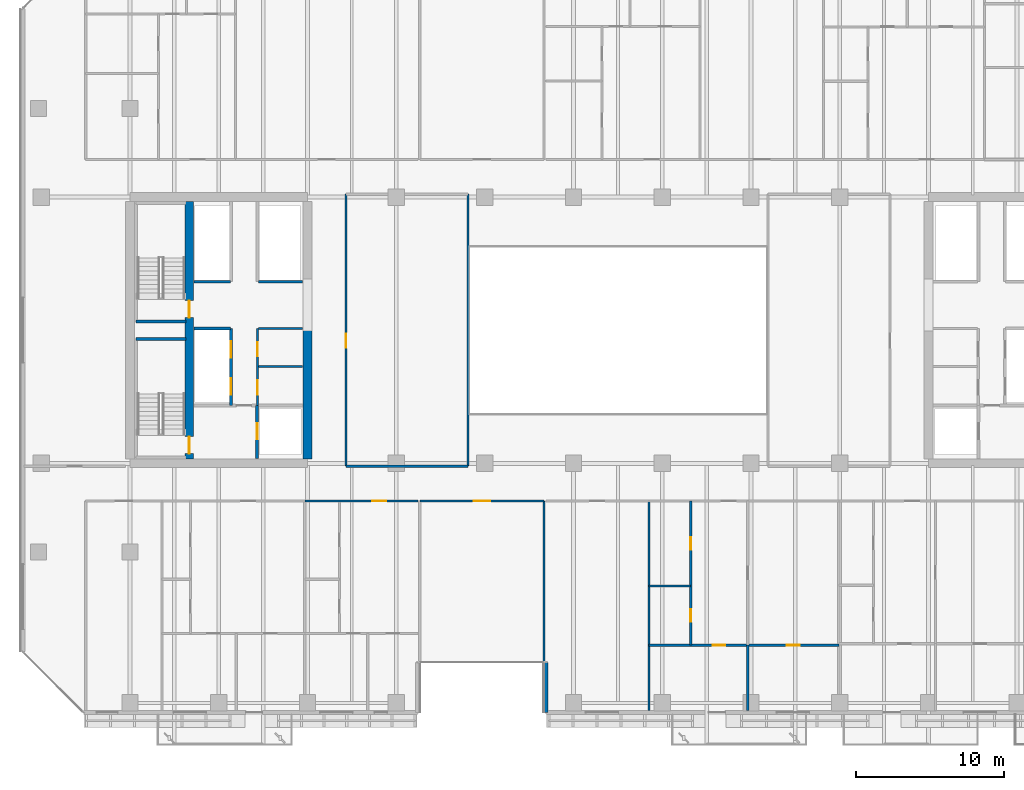
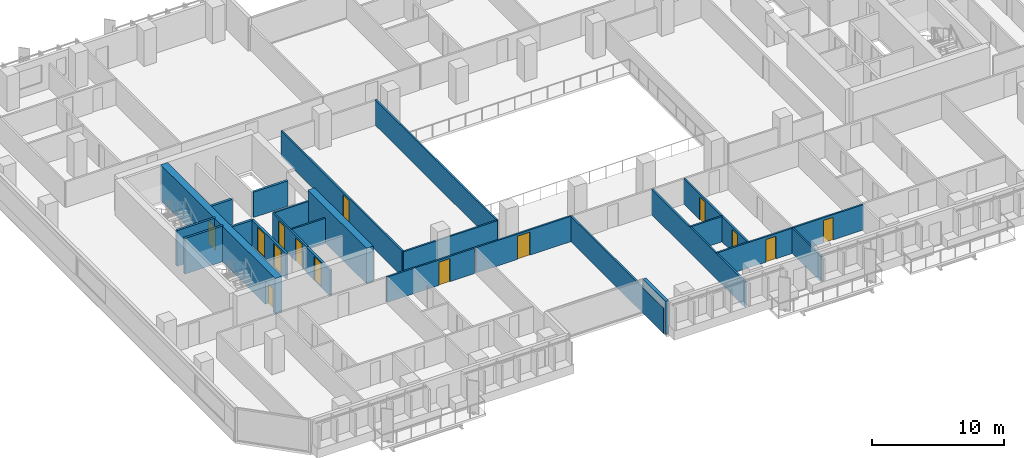
# One storey, part 20 of 34: 24 walls, 14 doors, 14 openings.
"""IFC4 building model written with IfcOpenShell, lengths in metres."""

from ifc_helpers import new_model, si_unit, direction, frame, frame_2d, origin, place, context, subcontext, project, spatial, rectangle, extrude, material, layer, layer_set, type_object, element, fill, save


model = new_model("IFC4")

# Units and contexts
model_context = context("Model", 3, precision=1e-05, world=origin(), true_north=direction((0.0, 1.0)))
body_context = subcontext(model_context, "Body", "Model", "MODEL_VIEW")
ifc_project = project(units=[si_unit("LENGTHUNIT", "METRE"), si_unit("AREAUNIT", "SQUARE_METRE"), si_unit("VOLUMEUNIT", "CUBIC_METRE"), si_unit("PLANEANGLEUNIT", "RADIAN"), si_unit("MASSUNIT", "GRAM", prefix="KILO")], contexts=[model_context])

# Site, building, storey
site_placement = place(None, origin())
site = spatial("IfcSite", under=ifc_project, at=site_placement, CompositionType="ELEMENT")
building_placement = place(site_placement, origin())
building = spatial("IfcBuilding", under=site, at=building_placement, Name="Tanjung Sevakor Pilgrim Tower", CompositionType="ELEMENT")
storey_placement = place(building_placement, frame((0.0, 0.0, 55.43994140625)))
storey = spatial("IfcBuildingStorey", under=building, at=storey_placement, Name="L15", CompositionType="ELEMENT", Elevation=55.43994140625)

# Wall
ifc_material_1 = material(Name="Concrete C60/75", Category="concrete")
ifc_layer_1 = layer(ifc_material_1, 0.60009765625)
ifc_layer_set_1 = layer_set([ifc_layer_1], Name="WALL-CW-600")
wall_type_1 = type_object("IfcWallType", Name="WALL-CW-600", PredefinedType="SHEAR", material=ifc_layer_set_1)
wall_1_placement = place(storey_placement, frame((36.0, 24.89990234375, 0.0), z_axis=(0.0, 0.0, 1.0), x_axis=(0.0, 1.0, 0.0)))
element("IfcWall", 1, at=wall_1_placement, inside=storey, type_object=wall_type_1, Name="L15 W Core Inner Shear Wall South", PredefinedType="SHEAR", context=body_context, shape_type="SweptSolid", body=[
    extrude(rectangle(XDim=8.900146484375, YDim=0.60009765625, at=frame_2d((4.4501953125, 0.0))), origin(), (0.0, 0.0, 1.0), 3.300048828125),
])

# Wall, openings, doors
wall_2_placement = place(storey_placement, frame((28.0, 24.89990234375, 0.0), z_axis=(0.0, 0.0, 1.0), x_axis=(0.0, 1.0, 0.0)))
wall_2 = element("IfcWall", 2, at=wall_2_placement, inside=storey, type_object=wall_type_1, Name="L15 W Core Stair Spine Wall", PredefinedType="SHEAR", context=body_context, shape_type="SweptSolid", body=[
    extrude(rectangle(XDim=17.400146484375, YDim=0.60009765625, at=frame_2d((8.7001953125, 0.0))), origin(), (0.0, 0.0, 1.0), 3.300048828125),
])
opening_1_placement = place(wall_2_placement, frame((0.35009765625, 0.0, 0.0)))
opening_1 = element("IfcOpeningElement", 3, at=opening_1_placement, cuts=wall_2, Name="Opening ID-ST1", PredefinedType="OPENING", context=body_context, shape_type="SweptSolid", body=[
    extrude(rectangle(XDim=1.14990234375, YDim=2.14990234375, at=frame_2d((0.574951171875, 1.074951171875))), frame((0.0, 0.31005859375, 0.0), z_axis=(0.0, -1.0, 0.0), x_axis=(1.0, 0.0, 0.0)), (0.0, 0.0, 1.0), 0.6201171875),
])
opening_2_placement = place(wall_2_placement, frame((9.550048828125, 0.0, 0.0)))
opening_2 = element("IfcOpeningElement", 4, at=opening_2_placement, cuts=wall_2, Name="Opening ID-ST1", PredefinedType="OPENING", context=body_context, shape_type="SweptSolid", body=[
    extrude(rectangle(XDim=1.14990234375, YDim=2.14990234375, at=frame_2d((0.574951171875, 1.074951171875))), frame((0.0, 0.31005859375, 0.0), z_axis=(0.0, -1.0, 0.0), x_axis=(1.0, 0.0, 0.0)), (0.0, 0.0, 1.0), 0.6201171875),
])
ifc_material_2 = material(Name="Fire-Rated Steel S355J2", Category="steel")
door_type_1 = type_object("IfcDoorType", Name="DT-FIRE-1150", OperationType="NOTDEFINED", PredefinedType="DOOR", material=ifc_material_2)
door_1_placement = place(opening_1_placement, origin())
door_1 = element("IfcDoor", 5, at=door_1_placement, inside=storey, type_object=door_type_1, Name="L15 TS-W1 Stair Fire Door", OperationType="SINGLE_SWING_RIGHT", OverallHeight=2.14990234375, OverallWidth=1.14990234375, PredefinedType="DOOR", context=body_context, shape_type="SweptSolid", body=[
    extrude(rectangle(XDim=1.14990234375, YDim=2.14990234375, at=frame_2d((0.574951171875, 1.074951171875))), frame((0.0, 0.02490234375, 0.0), z_axis=(0.0, -1.0, 0.0), x_axis=(1.0, 0.0, 0.0)), (0.0, 0.0, 1.0), 0.050048828125),
])
fill(opening_1, door_1)
door_2_placement = place(opening_2_placement, origin())
door_2 = element("IfcDoor", 6, at=door_2_placement, inside=storey, type_object=door_type_1, Name="L15 TS-W2 Stair Fire Door", OperationType="SINGLE_SWING_LEFT", OverallHeight=2.14990234375, OverallWidth=1.14990234375, PredefinedType="DOOR", context=body_context, shape_type="SweptSolid", body=[
    extrude(rectangle(XDim=1.14990234375, YDim=2.14990234375, at=frame_2d((0.574951171875, 1.074951171875))), frame((0.0, 0.02490234375, 0.0), z_axis=(0.0, -1.0, 0.0), x_axis=(1.0, 0.0, 0.0)), (0.0, 0.0, 1.0), 0.050048828125),
])
fill(opening_2, door_2)

# Walls
ifc_material_3 = material(Name="Concrete C40/50", Category="concrete")
ifc_layer_2 = layer(ifc_material_3, 0.14990234375)
ifc_layer_set_2 = layer_set([ifc_layer_2], Name="WT-COMP-150")
wall_type_2 = type_object("IfcWallType", Name="WT-COMP-150", PredefinedType="SOLIDWALL", material=ifc_layer_set_2)
for number, where, z_axis, x_axis, name in (
    (7, (32.679931640625, 31.14990234375, 0.0), (0.0, 0.0, 1.0), (1.0, 0.0, 0.0), "L15 Partition IW-L15-005"),
    (8, (32.679931640625, 33.719970703125, 0.0), (0.0, 0.0, 1.0), (1.0, 0.0, 0.0), "L15 Partition IW-L15-006"),
):
    element("IfcWall", number, at=place(storey_placement, frame(where, z_axis=z_axis, x_axis=x_axis)), inside=storey, type_object=wall_type_2, Name=name, PredefinedType="SOLIDWALL", context=body_context, shape_type="SweptSolid", body=[
        extrude(rectangle(XDim=3.0, YDim=0.14990234375, at=frame_2d((1.5, 0.0))), origin(), (0.0, 0.0, 1.0), 2.35009765625),
    ])

# Wall, openings, doors
wall_3_placement = place(storey_placement, frame((32.6201171875, 28.5, 0.0), z_axis=(0.0, 0.0, 1.0), x_axis=(0.0, 1.0, 0.0)))
wall_3 = element("IfcWall", 9, at=wall_3_placement, inside=storey, type_object=wall_type_2, Name="L15 Partition IW-L15-007", PredefinedType="SOLIDWALL", context=body_context, shape_type="SweptSolid", body=[
    extrude(rectangle(XDim=5.219970703125, YDim=0.14990234375, at=frame_2d((2.60986328125, 0.0))), origin(), (0.0, 0.0, 1.0), 2.35009765625),
])
opening_3_placement = place(wall_3_placement, frame((0.75, 0.0, 0.0)))
opening_3 = element("IfcOpeningElement", 10, at=opening_3_placement, cuts=wall_3, Name="Opening ID-FD2", PredefinedType="OPENING", context=body_context, shape_type="SweptSolid", body=[
    extrude(rectangle(XDim=0.949951171875, YDim=2.14990234375, at=frame_2d((0.47509765625, 1.074951171875))), frame((0.0, 0.0849609375, 0.0), z_axis=(0.0, -1.0, 0.0), x_axis=(1.0, 0.0, 0.0)), (0.0, 0.0, 1.0), 0.169921875),
])
opening_4_placement = place(wall_3_placement, frame((3.35009765625, 0.0, 0.0)))
opening_4 = element("IfcOpeningElement", 11, at=opening_4_placement, cuts=wall_3, Name="Opening ID-FD2", PredefinedType="OPENING", context=body_context, shape_type="SweptSolid", body=[
    extrude(rectangle(XDim=0.949951171875, YDim=2.14990234375, at=frame_2d((0.47509765625, 1.074951171875))), frame((0.0, 0.0849609375, 0.0), z_axis=(0.0, -1.0, 0.0), x_axis=(1.0, 0.0, 0.0)), (0.0, 0.0, 1.0), 0.169921875),
])
ifc_material_4 = material(Name="Fire-Rated Timber", Category="wood")
door_type_2 = type_object("IfcDoorType", Name="DT-FIRE-950", OperationType="NOTDEFINED", PredefinedType="DOOR", material=ifc_material_4)
door_3_placement = place(opening_3_placement, origin())
door_3 = element("IfcDoor", 12, at=door_3_placement, inside=storey, type_object=door_type_2, Name="L15 Accessible WC Door", OperationType="SINGLE_SWING_LEFT", OverallHeight=2.14990234375, OverallWidth=0.949951171875, PredefinedType="DOOR", context=body_context, shape_type="SweptSolid", body=[
    extrude(rectangle(XDim=0.949951171875, YDim=2.14990234375, at=frame_2d((0.47509765625, 1.074951171875))), frame((0.0, 0.02490234375, 0.0), z_axis=(0.0, -1.0, 0.0), x_axis=(1.0, 0.0, 0.0)), (0.0, 0.0, 1.0), 0.050048828125),
])
fill(opening_3, door_3)
door_4_placement = place(opening_4_placement, origin())
door_4 = element("IfcDoor", 13, at=door_4_placement, inside=storey, type_object=door_type_2, Name="L15 Core Service Door", OperationType="SINGLE_SWING_RIGHT", OverallHeight=2.14990234375, OverallWidth=0.949951171875, PredefinedType="DOOR", context=body_context, shape_type="SweptSolid", body=[
    extrude(rectangle(XDim=0.949951171875, YDim=2.14990234375, at=frame_2d((0.47509765625, 1.074951171875))), frame((0.0, 0.02490234375, 0.0), z_axis=(0.0, -1.0, 0.0), x_axis=(1.0, 0.0, 0.0)), (0.0, 0.0, 1.0), 0.050048828125),
])
fill(opening_4, door_4)

# Wall
wall_4_placement = place(storey_placement, frame((38.60009765625, 24.39990234375, 0.0), z_axis=(0.0, 0.0, 1.0), x_axis=(1.0, 0.0, 0.0)))
element("IfcWall", 14, at=wall_4_placement, inside=storey, type_object=wall_type_2, Name="L15 Partition IW-L15-023", PredefinedType="SOLIDWALL", context=body_context, shape_type="SweptSolid", body=[
    extrude(rectangle(XDim=8.25, YDim=0.14990234375, at=frame_2d((4.125, 0.0))), origin(), (0.0, 0.0, 1.0), 2.295166015625),
])

# Wall, opening, door
wall_5_placement = place(storey_placement, frame((38.60009765625, 24.39990234375, 0.0), z_axis=(0.0, 0.0, 1.0), x_axis=(0.0, 1.0, 0.0)))
wall_5 = element("IfcWall", 15, at=wall_5_placement, inside=storey, type_object=wall_type_2, Name="L15 Partition IW-L15-025", PredefinedType="SOLIDWALL", context=body_context, shape_type="SweptSolid", body=[
    extrude(rectangle(XDim=18.400146484375, YDim=0.14990234375, at=frame_2d((9.2001953125, 0.0))), origin(), (0.0, 0.0, 1.0), 2.35009765625),
])
opening_5_placement = place(wall_5_placement, frame((8.02490234375, 0.0, 0.0)))
opening_5 = element("IfcOpeningElement", 16, at=opening_5_placement, cuts=wall_5, Name="Opening ID-RM1", PredefinedType="OPENING", context=body_context, shape_type="SweptSolid", body=[
    extrude(rectangle(XDim=0.949951171875, YDim=2.14990234375, at=frame_2d((0.47509765625, 1.074951171875))), frame((0.0, 0.0849609375, 0.0), z_axis=(0.0, -1.0, 0.0), x_axis=(1.0, 0.0, 0.0)), (0.0, 0.0, 1.0), 0.169921875),
])
ifc_material_5 = material(Name="Hardwood Timber", Category="wood")
door_type_3 = type_object("IfcDoorType", Name="DT-INT-950", OperationType="NOTDEFINED", PredefinedType="DOOR", material=ifc_material_5)
door_5_placement = place(opening_5_placement, origin())
door_5 = element("IfcDoor", 17, at=door_5_placement, inside=storey, type_object=door_type_3, Name="L15 Central West Room Door", OperationType="SINGLE_SWING_LEFT", OverallHeight=2.14990234375, OverallWidth=0.949951171875, PredefinedType="DOOR", context=body_context, shape_type="SweptSolid", body=[
    extrude(rectangle(XDim=0.949951171875, YDim=2.14990234375, at=frame_2d((0.47509765625, 1.074951171875))), frame((0.0, 0.02490234375, 0.0), z_axis=(0.0, -1.0, 0.0), x_axis=(1.0, 0.0, 0.0)), (0.0, 0.0, 1.0), 0.050048828125),
])
fill(opening_5, door_5)

# Wall
wall_6_placement = place(storey_placement, frame((46.85009765625, 24.39990234375, 0.0), z_axis=(0.0, 0.0, 1.0), x_axis=(0.0, 1.0, 0.0)))
element("IfcWall", 18, at=wall_6_placement, inside=storey, type_object=wall_type_2, Name="L15 Partition IW-L15-026", PredefinedType="SOLIDWALL", context=body_context, shape_type="SweptSolid", body=[
    extrude(rectangle(XDim=18.400146484375, YDim=0.14990234375, at=frame_2d((9.2001953125, 0.0))), origin(), (0.0, 0.0, 1.0), 2.35009765625),
])

# Wall, opening, door
wall_7_placement = place(storey_placement, frame((43.60009765625, 22.050048828125, 0.0), z_axis=(0.0, 0.0, 1.0), x_axis=(1.0, 0.0, 0.0)))
wall_7 = element("IfcWall", 19, at=wall_7_placement, inside=storey, type_object=wall_type_2, Name="L15 Partition IW-L15-038", PredefinedType="SOLIDWALL", context=body_context, shape_type="SweptSolid", body=[
    extrude(rectangle(XDim=8.39990234375, YDim=0.14990234375, at=frame_2d((4.199951171875, 0.0))), origin(), (0.0, 0.0, 1.0), 2.35009765625),
])
opening_6_placement = place(wall_7_placement, frame((3.64990234375, 0.0, 0.0)))
opening_6 = element("IfcOpeningElement", 20, at=opening_6_placement, cuts=wall_7, Name="Opening ID-RM2", PredefinedType="OPENING", context=body_context, shape_type="SweptSolid", body=[
    extrude(rectangle(XDim=1.10009765625, YDim=2.14990234375, at=frame_2d((0.550048828125, 1.074951171875))), frame((0.0, 0.0849609375, 0.0), z_axis=(0.0, -1.0, 0.0), x_axis=(1.0, 0.0, 0.0)), (0.0, 0.0, 1.0), 0.169921875),
])
ifc_material_6 = material(Name="Hardwood Timber", Category="wood")
door_type_4 = type_object("IfcDoorType", Name="DT-INT-1100", OperationType="NOTDEFINED", PredefinedType="DOOR", material=ifc_material_6)
door_6_placement = place(opening_6_placement, origin())
door_6 = element("IfcDoor", 21, at=door_6_placement, inside=storey, type_object=door_type_4, Name="L15 South Cleft Observatory Door", OperationType="SINGLE_SWING_RIGHT", OverallHeight=2.14990234375, OverallWidth=1.10009765625, PredefinedType="DOOR", context=body_context, shape_type="SweptSolid", body=[
    extrude(rectangle(XDim=1.10009765625, YDim=2.14990234375, at=frame_2d((0.550048828125, 1.074951171875))), frame((0.0, 0.02490234375, 0.0), z_axis=(0.0, -1.0, 0.0), x_axis=(1.0, 0.0, 0.0)), (0.0, 0.0, 1.0), 0.050048828125),
])
fill(opening_6, door_6)

# Wall
wall_8_placement = place(storey_placement, frame((52.0, 7.8798828125, 0.0), z_axis=(0.0, 0.0, 1.0), x_axis=(0.0, 1.0, 0.0)))
element("IfcWall", 22, at=wall_8_placement, inside=storey, type_object=wall_type_2, Name="L15 Partition IW-L15-040", PredefinedType="SOLIDWALL", context=body_context, shape_type="SweptSolid", body=[
    extrude(rectangle(XDim=14.170166015625, YDim=0.14990234375, at=frame_2d((7.0849609375, 0.0))), origin(), (0.0, 0.0, 1.0), 2.35009765625),
])

# Wall, opening, door
wall_9_placement = place(storey_placement, frame((35.8203125, 22.050048828125, 0.0), z_axis=(0.0, 0.0, 1.0), x_axis=(1.0, 0.0, 0.0)))
wall_9 = element("IfcWall", 23, at=wall_9_placement, inside=storey, type_object=wall_type_2, Name="L15 Partition IW-L15-057", PredefinedType="SOLIDWALL", context=body_context, shape_type="SweptSolid", body=[
    extrude(rectangle(XDim=7.65966796875, YDim=0.14990234375, at=frame_2d((3.829833984375, 0.0))), origin(), (0.0, 0.0, 1.0), 2.35009765625),
])
opening_7_placement = place(wall_9_placement, frame((4.56982421875, 0.0, 0.0)))
opening_7 = element("IfcOpeningElement", 24, at=opening_7_placement, cuts=wall_9, Name="Opening ID-FD2", PredefinedType="OPENING", context=body_context, shape_type="SweptSolid", body=[
    extrude(rectangle(XDim=0.949951171875, YDim=2.14990234375, at=frame_2d((0.47509765625, 1.074951171875))), frame((0.0, 0.0849609375, 0.0), z_axis=(0.0, -1.0, 0.0), x_axis=(1.0, 0.0, 0.0)), (0.0, 0.0, 1.0), 0.169921875),
])
door_7_placement = place(opening_7_placement, origin())
door_7 = element("IfcDoor", 25, at=door_7_placement, inside=storey, type_object=door_type_2, Name="Suite Entrance", OperationType="SINGLE_SWING_RIGHT", OverallHeight=2.14990234375, OverallWidth=0.949951171875, PredefinedType="DOOR", context=body_context, shape_type="SweptSolid", body=[
    extrude(rectangle(XDim=0.949951171875, YDim=2.14990234375, at=frame_2d((0.47509765625, 1.074951171875))), frame((0.0, 0.02490234375, 0.0), z_axis=(0.0, -1.0, 0.0), x_axis=(1.0, 0.0, 0.0)), (0.0, 0.0, 1.0), 0.050048828125),
])
fill(opening_7, door_7)

# Walls
wall_10_placement = place(storey_placement, frame((59.099853515625, 7.8798828125, 0.0), z_axis=(0.0, 0.0, 1.0), x_axis=(0.0, 1.0, 0.0)))
element("IfcWall", 26, at=wall_10_placement, inside=storey, type_object=wall_type_2, Name="L15 Partition IW-L15-059", PredefinedType="SOLIDWALL", context=body_context, shape_type="SweptSolid", body=[
    extrude(rectangle(XDim=14.170166015625, YDim=0.14990234375, at=frame_2d((7.0849609375, 0.0))), origin(), (0.0, 0.0, 1.0), 2.35009765625),
])
ifc_material_7 = material(Name="Precast concrete C45/55", Category="concrete")
ifc_layer_3 = layer(ifc_material_7, 0.280029296875)
ifc_layer_set_3 = layer_set([ifc_layer_3], Name="WT-EW-STN2")
wall_type_3 = type_object("IfcWallType", Name="WT-EW-STN2", PredefinedType="SOLIDWALL", material=ifc_layer_set_3)
wall_11_placement = place(storey_placement, frame((52.139892578125, 11.139892578125, 0.0), z_axis=(0.0, 0.0, 1.0), x_axis=(0.0, -1.0, 0.0)))
element("IfcWall", 27, at=wall_11_placement, inside=storey, type_object=wall_type_3, Name="L15 MAIN Exterior Wall 4", PredefinedType="SOLIDWALL", context=body_context, shape_type="SweptSolid", body=[
    extrude(rectangle(XDim=3.39990234375, YDim=0.280029296875, at=frame_2d((1.699951171875, 0.0))), origin(), (0.0, 0.0, 1.0), 3.080078125),
])
ifc_material_8 = material(Name="Concrete C40/50", Category="concrete")
ifc_layer_4 = layer(ifc_material_8, 0.199951171875)
ifc_layer_set_4 = layer_set([ifc_layer_4], Name="WT-FIRE-200")
wall_type_4 = type_object("IfcWallType", Name="WT-FIRE-200", PredefinedType="SOLIDWALL", material=ifc_layer_set_4)
for number, where, z_axis, x_axis, name in (
    (28, (27.800048828125, 33.0, 0.0), (0.0, 0.0, 1.0), (-1.0, 0.0, 0.0), "L15 TS-W1 Shaft Wall 2"),
    (29, (24.39990234375, 34.199951171875, 0.0), (0.0, 0.0, 1.0), (1.0, 0.0, 0.0), "L15 TS-W2 Shaft Wall 1"),
):
    element("IfcWall", number, at=place(storey_placement, frame(where, z_axis=z_axis, x_axis=x_axis)), inside=storey, type_object=wall_type_4, Name=name, PredefinedType="SOLIDWALL", context=body_context, shape_type="SweptSolid", body=[
        extrude(rectangle(XDim=3.400146484375, YDim=0.199951171875, at=frame_2d((1.7001953125, 0.0))), origin(), (0.0, 0.0, 1.0), 3.300048828125),
    ])

# Wall, opening, door
ifc_material_9 = material(Name="Concrete C40/50", Category="concrete")
ifc_layer_5 = layer(ifc_material_9, 0.199951171875)
ifc_layer_set_5 = layer_set([ifc_layer_5], Name="WT-FPRT-200")
wall_type_5 = type_object("IfcWallType", Name="WT-FPRT-200", PredefinedType="SOLIDWALL", material=ifc_layer_set_5)
wall_12_placement = place(storey_placement, frame((32.60009765625, 24.919921875, 0.0), z_axis=(0.0, 0.0, 1.0), x_axis=(0.0, 1.0, 0.0)))
wall_12 = element("IfcWall", 30, at=wall_12_placement, inside=storey, type_object=wall_type_5, Name="L15 Partition IW-L15-001", PredefinedType="SOLIDWALL", context=body_context, shape_type="SweptSolid", body=[
    extrude(rectangle(XDim=3.580078125, YDim=0.199951171875, at=frame_2d((1.7900390625, 0.0))), origin(), (0.0, 0.0, 1.0), 2.35009765625),
])
opening_8_placement = place(wall_12_placement, frame((1.300048828125, 0.0, 0.0)))
opening_8 = element("IfcOpeningElement", 31, at=opening_8_placement, cuts=wall_12, Name="Opening LD-1100", PredefinedType="OPENING", context=body_context, shape_type="SweptSolid", body=[
    extrude(rectangle(XDim=1.10009765625, YDim=2.199951171875, at=frame_2d((0.550048828125, 1.10009765625))), frame((0.0, 0.10986328125, 0.0), z_axis=(0.0, -1.0, 0.0), x_axis=(1.0, 0.0, 0.0)), (0.0, 0.0, 1.0), 0.219970703125),
])
ifc_material_10 = material(Name="Brushed Stainless Steel S355J2", Category="steel")
door_type_5 = type_object("IfcDoorType", Name="DT-LIFT-1100", OperationType="SLIDING_TO_LEFT", PredefinedType="DOOR", material=ifc_material_10)
door_8_placement = place(opening_8_placement, origin())
door_8 = element("IfcDoor", 32, at=door_8_placement, inside=storey, type_object=door_type_5, Name="LD-FL-W", OperationType="SLIDING_TO_LEFT", OverallHeight=2.199951171875, OverallWidth=1.10009765625, PredefinedType="DOOR", context=body_context, shape_type="SweptSolid", body=[
    extrude(rectangle(XDim=1.10009765625, YDim=2.199951171875, at=frame_2d((0.550048828125, 1.10009765625))), frame((0.0, 0.02490234375, 0.0), z_axis=(0.0, -1.0, 0.0), x_axis=(1.0, 0.0, 0.0)), (0.0, 0.0, 1.0), 0.050048828125),
])
fill(opening_8, door_8)

# Wall
wall_13_placement = place(storey_placement, frame((28.320068359375, 33.719970703125, 0.0), z_axis=(0.0, 0.0, 1.0), x_axis=(1.0, 0.0, 0.0)))
element("IfcWall", 33, at=wall_13_placement, inside=storey, type_object=wall_type_5, Name="L15 Partition IW-L15-003", PredefinedType="SOLIDWALL", context=body_context, shape_type="SweptSolid", body=[
    extrude(rectangle(XDim=2.47998046875, YDim=0.199951171875, at=frame_2d((1.239990234375, 0.0))), origin(), (0.0, 0.0, 1.0), 2.35009765625),
])

# Wall, openings, doors
wall_14_placement = place(storey_placement, frame((30.820068359375, 28.5, 0.0), z_axis=(0.0, 0.0, 1.0), x_axis=(0.0, 1.0, 0.0)))
wall_14 = element("IfcWall", 34, at=wall_14_placement, inside=storey, type_object=wall_type_5, Name="L15 Partition IW-L15-004", PredefinedType="SOLIDWALL", context=body_context, shape_type="SweptSolid", body=[
    extrude(rectangle(XDim=5.219970703125, YDim=0.199951171875, at=frame_2d((2.60986328125, 0.0))), origin(), (0.0, 0.0, 1.0), 2.35009765625),
])
opening_9_placement = place(wall_14_placement, frame((0.75, 0.0, 0.0)))
opening_9 = element("IfcOpeningElement", 35, at=opening_9_placement, cuts=wall_14, Name="Opening LD-1100", PredefinedType="OPENING", context=body_context, shape_type="SweptSolid", body=[
    extrude(rectangle(XDim=1.10009765625, YDim=2.199951171875, at=frame_2d((0.550048828125, 1.10009765625))), frame((0.0, 0.10986328125, 0.0), z_axis=(0.0, -1.0, 0.0), x_axis=(1.0, 0.0, 0.0)), (0.0, 0.0, 1.0), 0.219970703125),
])
opening_10_placement = place(wall_14_placement, frame((3.25, 0.0, 0.0)))
opening_10 = element("IfcOpeningElement", 36, at=opening_10_placement, cuts=wall_14, Name="Opening LD-1100", PredefinedType="OPENING", context=body_context, shape_type="SweptSolid", body=[
    extrude(rectangle(XDim=1.10009765625, YDim=2.199951171875, at=frame_2d((0.550048828125, 1.10009765625))), frame((0.0, 0.10986328125, 0.0), z_axis=(0.0, -1.0, 0.0), x_axis=(1.0, 0.0, 0.0)), (0.0, 0.0, 1.0), 0.219970703125),
])
door_9_placement = place(opening_9_placement, origin())
door_9 = element("IfcDoor", 37, at=door_9_placement, inside=storey, type_object=door_type_5, Name="LD-PLL1-W", OperationType="SLIDING_TO_LEFT", OverallHeight=2.199951171875, OverallWidth=1.10009765625, PredefinedType="DOOR", context=body_context, shape_type="SweptSolid", body=[
    extrude(rectangle(XDim=1.10009765625, YDim=2.199951171875, at=frame_2d((0.550048828125, 1.10009765625))), frame((0.0, 0.02490234375, 0.0), z_axis=(0.0, -1.0, 0.0), x_axis=(1.0, 0.0, 0.0)), (0.0, 0.0, 1.0), 0.050048828125),
])
fill(opening_9, door_9)
door_10_placement = place(opening_10_placement, origin())
door_10 = element("IfcDoor", 38, at=door_10_placement, inside=storey, type_object=door_type_5, Name="LD-PLL2-W", OperationType="SLIDING_TO_RIGHT", OverallHeight=2.199951171875, OverallWidth=1.10009765625, PredefinedType="DOOR", context=body_context, shape_type="SweptSolid", body=[
    extrude(rectangle(XDim=1.10009765625, YDim=2.199951171875, at=frame_2d((0.550048828125, 1.10009765625))), frame((0.0, 0.02490234375, 0.0), z_axis=(0.0, -1.0, 0.0), x_axis=(1.0, 0.0, 0.0)), (0.0, 0.0, 1.0), 0.050048828125),
])
fill(opening_10, door_10)

# Walls
wall_15_placement = place(storey_placement, frame((28.320068359375, 36.8798828125, 0.0), z_axis=(0.0, 0.0, 1.0), x_axis=(1.0, 0.0, 0.0)))
element("IfcWall", 39, at=wall_15_placement, inside=storey, type_object=wall_type_5, Name="L15 Partition IW-L15-008", PredefinedType="SOLIDWALL", context=body_context, shape_type="SweptSolid", body=[
    extrude(rectangle(XDim=2.47998046875, YDim=0.199951171875, at=frame_2d((1.239990234375, 0.0))), origin(), (0.0, 0.0, 1.0), 2.35009765625),
])
wall_16_placement = place(storey_placement, frame((32.679931640625, 36.8798828125, 0.0), z_axis=(0.0, 0.0, 1.0), x_axis=(1.0, 0.0, 0.0)))
element("IfcWall", 40, at=wall_16_placement, inside=storey, type_object=wall_type_5, Name="L15 Partition IW-L15-010", PredefinedType="SOLIDWALL", context=body_context, shape_type="SweptSolid", body=[
    extrude(rectangle(XDim=3.0, YDim=0.199951171875, at=frame_2d((1.5, 0.0))), origin(), (0.0, 0.0, 1.0), 2.35009765625),
])
ifc_material_11 = material(Name="Gypsum Board Partition", Category="gypsum board")
ifc_layer_6 = layer(ifc_material_11, 0.14990234375)
ifc_layer_set_6 = layer_set([ifc_layer_6], Name="WT-PART-150")
wall_type_6 = type_object("IfcWallType", Name="WT-PART-150", PredefinedType="PARTITIONING", material=ifc_layer_set_6)
wall_17_placement = place(storey_placement, frame((59.099853515625, 16.2958984375, 0.0), z_axis=(0.0, 0.0, 1.0), x_axis=(1.0, 0.0, 0.0)))
element("IfcWall", 41, at=wall_17_placement, inside=storey, type_object=wall_type_6, Name="L15 Partition IW-L15-063", PredefinedType="PARTITIONING", context=body_context, shape_type="SweptSolid", body=[
    extrude(rectangle(XDim=2.820068359375, YDim=0.14990234375, at=frame_2d((1.41015625, 0.0))), origin(), (0.0, 0.0, 1.0), 2.35009765625),
])

# Wall, openings, doors
wall_18_placement = place(storey_placement, frame((61.919921875, 12.29736328125, 0.0), z_axis=(0.0, 0.0, 1.0), x_axis=(0.0, 1.0, 0.0)))
wall_18 = element("IfcWall", 42, at=wall_18_placement, inside=storey, type_object=wall_type_6, Name="L15 Partition IW-L15-064", PredefinedType="PARTITIONING", context=body_context, shape_type="SweptSolid", body=[
    extrude(rectangle(XDim=9.752685546875, YDim=0.14990234375, at=frame_2d((4.87646484375, 0.0))), origin(), (0.0, 0.0, 1.0), 2.35009765625),
])
opening_11_placement = place(wall_18_placement, frame((1.57421875, 0.0, 0.0)))
opening_11 = element("IfcOpeningElement", 43, at=opening_11_placement, cuts=wall_18, Name="Opening ID-WC1", PredefinedType="OPENING", context=body_context, shape_type="SweptSolid", body=[
    extrude(rectangle(XDim=0.85009765625, YDim=2.10009765625, at=frame_2d((0.425048828125, 1.050048828125))), frame((0.0, 0.0849609375, 0.0), z_axis=(0.0, -1.0, 0.0), x_axis=(1.0, 0.0, 0.0)), (0.0, 0.0, 1.0), 0.169921875),
])
opening_12_placement = place(wall_18_placement, frame((6.45068359375, 0.0, 0.0)))
opening_12 = element("IfcOpeningElement", 44, at=opening_12_placement, cuts=wall_18, Name="Opening ID-WC1", PredefinedType="OPENING", context=body_context, shape_type="SweptSolid", body=[
    extrude(rectangle(XDim=0.85009765625, YDim=2.10009765625, at=frame_2d((0.425048828125, 1.050048828125))), frame((0.0, 0.0849609375, 0.0), z_axis=(0.0, -1.0, 0.0), x_axis=(1.0, 0.0, 0.0)), (0.0, 0.0, 1.0), 0.169921875),
])
ifc_material_12 = material(Name="Moisture-Resistant Timber", Category="wood")
door_type_6 = type_object("IfcDoorType", Name="DT-INT-850", OperationType="NOTDEFINED", PredefinedType="DOOR", material=ifc_material_12)
door_11_placement = place(opening_11_placement, origin())
door_11 = element("IfcDoor", 45, at=door_11_placement, inside=storey, type_object=door_type_6, Name="Suite Bathroom Door", OperationType="SINGLE_SWING_LEFT", OverallHeight=2.10009765625, OverallWidth=0.85009765625, PredefinedType="DOOR", context=body_context, shape_type="SweptSolid", body=[
    extrude(rectangle(XDim=0.85009765625, YDim=2.10009765625, at=frame_2d((0.425048828125, 1.050048828125))), frame((0.0, 0.02490234375, 0.0), z_axis=(0.0, -1.0, 0.0), x_axis=(1.0, 0.0, 0.0)), (0.0, 0.0, 1.0), 0.050048828125),
])
fill(opening_11, door_11)
door_12_placement = place(opening_12_placement, origin())
door_12 = element("IfcDoor", 46, at=door_12_placement, inside=storey, type_object=door_type_6, Name="Suite Kitchenette Door", OperationType="SINGLE_SWING_RIGHT", OverallHeight=2.10009765625, OverallWidth=0.85009765625, PredefinedType="DOOR", context=body_context, shape_type="SweptSolid", body=[
    extrude(rectangle(XDim=0.85009765625, YDim=2.10009765625, at=frame_2d((0.425048828125, 1.050048828125))), frame((0.0, 0.02490234375, 0.0), z_axis=(0.0, -1.0, 0.0), x_axis=(1.0, 0.0, 0.0)), (0.0, 0.0, 1.0), 0.050048828125),
])
fill(opening_12, door_12)

# Wall
wall_19_placement = place(storey_placement, frame((65.778076171875, 7.8798828125, 0.0), z_axis=(0.0, 0.0, 1.0), x_axis=(0.0, 1.0, 0.0)))
element("IfcWall", 47, at=wall_19_placement, inside=storey, type_object=wall_type_6, Name="L15 Partition IW-L15-065", PredefinedType="PARTITIONING", context=body_context, shape_type="SweptSolid", body=[
    extrude(rectangle(XDim=4.41748046875, YDim=0.14990234375, at=frame_2d((2.208740234375, 0.0))), origin(), (0.0, 0.0, 1.0), 2.35009765625),
])

# Wall, openings, doors
wall_20_placement = place(storey_placement, frame((59.099853515625, 12.29736328125, 0.0), z_axis=(0.0, 0.0, 1.0), x_axis=(1.0, 0.0, 0.0)))
wall_20 = element("IfcWall", 48, at=wall_20_placement, inside=storey, type_object=wall_type_6, Name="L15 Partition IW-L15-066", PredefinedType="PARTITIONING", context=body_context, shape_type="SweptSolid", body=[
    extrude(rectangle(XDim=12.8427734375, YDim=0.14990234375, at=frame_2d((6.42138671875, 0.0))), origin(), (0.0, 0.0, 1.0), 2.35009765625),
])
opening_13_placement = place(wall_20_placement, frame((4.32421875, 0.0, 0.0)))
opening_13 = element("IfcOpeningElement", 49, at=opening_13_placement, cuts=wall_20, Name="Opening ID-WC1", PredefinedType="OPENING", context=body_context, shape_type="SweptSolid", body=[
    extrude(rectangle(XDim=0.85009765625, YDim=2.10009765625, at=frame_2d((0.425048828125, 1.050048828125))), frame((0.0, 0.0849609375, 0.0), z_axis=(0.0, -1.0, 0.0), x_axis=(1.0, 0.0, 0.0)), (0.0, 0.0, 1.0), 0.169921875),
])
opening_14_placement = place(wall_20_placement, frame((9.335693359375, 0.0, 0.0)))
opening_14 = element("IfcOpeningElement", 50, at=opening_14_placement, cuts=wall_20, Name="Opening ID-WC1", PredefinedType="OPENING", context=body_context, shape_type="SweptSolid", body=[
    extrude(rectangle(XDim=0.85009765625, YDim=2.10009765625, at=frame_2d((0.425048828125, 1.050048828125))), frame((0.0, 0.0849609375, 0.0), z_axis=(0.0, -1.0, 0.0), x_axis=(1.0, 0.0, 0.0)), (0.0, 0.0, 1.0), 0.169921875),
])
door_13_placement = place(opening_13_placement, origin())
door_13 = element("IfcDoor", 51, at=door_13_placement, inside=storey, type_object=door_type_6, Name="Suite Bedroom 1 Door", OperationType="SINGLE_SWING_LEFT", OverallHeight=2.10009765625, OverallWidth=0.85009765625, PredefinedType="DOOR", context=body_context, shape_type="SweptSolid", body=[
    extrude(rectangle(XDim=0.85009765625, YDim=2.10009765625, at=frame_2d((0.425048828125, 1.050048828125))), frame((0.0, 0.02490234375, 0.0), z_axis=(0.0, -1.0, 0.0), x_axis=(1.0, 0.0, 0.0)), (0.0, 0.0, 1.0), 0.050048828125),
])
fill(opening_13, door_13)
door_14_placement = place(opening_14_placement, origin())
door_14 = element("IfcDoor", 52, at=door_14_placement, inside=storey, type_object=door_type_6, Name="Suite Bedroom 2 Door", OperationType="SINGLE_SWING_RIGHT", OverallHeight=2.10009765625, OverallWidth=0.85009765625, PredefinedType="DOOR", context=body_context, shape_type="SweptSolid", body=[
    extrude(rectangle(XDim=0.85009765625, YDim=2.10009765625, at=frame_2d((0.425048828125, 1.050048828125))), frame((0.0, 0.02490234375, 0.0), z_axis=(0.0, -1.0, 0.0), x_axis=(1.0, 0.0, 0.0)), (0.0, 0.0, 1.0), 0.050048828125),
])
fill(opening_14, door_14)

save(model, "model.ifc")
